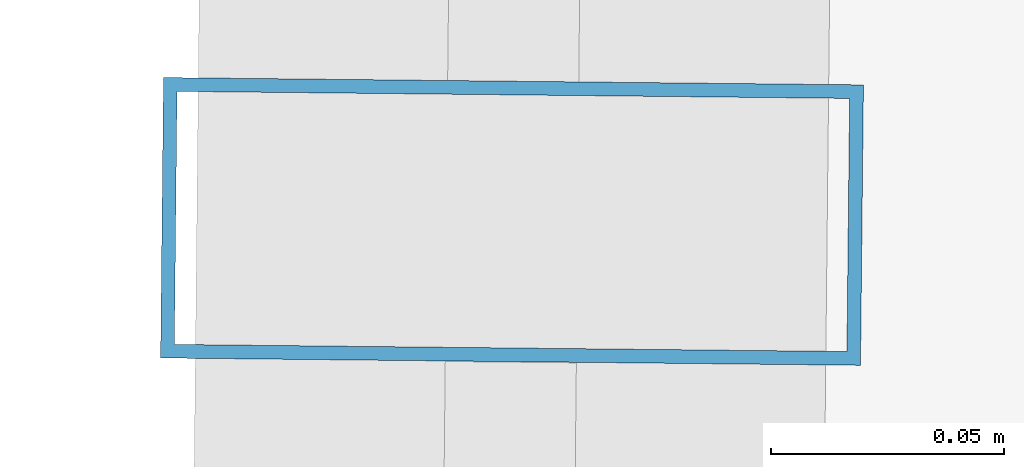
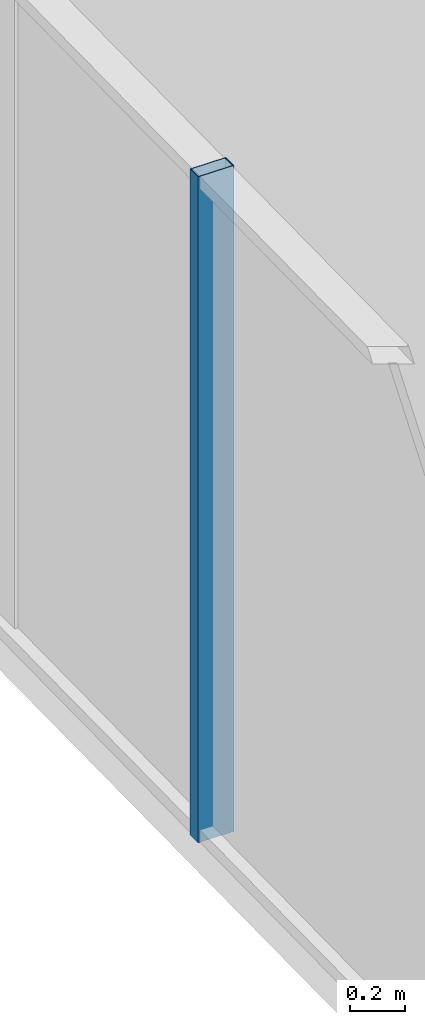
# One storey, part 10 of 30: 1 member, 1 element without a shape of its own.
"""IFC4 building model written with IfcOpenShell, lengths in metres."""

from ifc_helpers import new_model, si_unit, direction, frame, origin, origin_2d, place, context, subcontext, project, spatial, hollow_rectangle, extrude, source, transform, mapped, material, layer, layer_set, material_profile, profile_set, type_object, element, aggregate, save


model = new_model("IFC4")

# Units and contexts
model_context = context("Model", 3, precision=1e-05, world=origin(), true_north=direction((0.0, 1.0)))
body_context = subcontext(model_context, "Body", "Model", "MODEL_VIEW")
ifc_project = project(units=[si_unit("LENGTHUNIT", "METRE"), si_unit("AREAUNIT", "SQUARE_METRE"), si_unit("VOLUMEUNIT", "CUBIC_METRE"), si_unit("PLANEANGLEUNIT", "RADIAN"), si_unit("MASSUNIT", "GRAM", prefix="KILO")], contexts=[model_context])

# Site, building, storey
site_placement = place(None, origin())
site = spatial("IfcSite", under=ifc_project, at=site_placement, CompositionType="ELEMENT")
building_placement = place(site_placement, origin())
building = spatial("IfcBuilding", under=site, at=building_placement, Name="Veraguas Prism Commons", CompositionType="ELEMENT")
storey_placement = place(building_placement, frame((0.0, 0.0, 208.10009765625)))
storey = spatial("IfcBuildingStorey", under=building, at=storey_placement, Name="L59", CompositionType="ELEMENT", Elevation=208.10009765625)

# Curtain wall, member
ifc_material = material(Name="Anodised aluminium EN AW-6063 T6", Category="aluminium")
ifc_layer = layer(ifc_material, 0.14990234375, Name="Unitised Flush Curtain Wall Zone 3", Category="aluminium")
ifc_layer_set = layer_set([ifc_layer], Name="Anodised aluminium EN AW-6063 T6")
curtain_wall_type = type_object("IfcCurtainWallType", Name="Unitised Flush Curtain Wall Zone 3", PredefinedType="NOTDEFINED", material=ifc_layer_set)
curtain_wall_placement = place(storey_placement, origin())
curtain_wall = element("IfcCurtainWall", 1, at=curtain_wall_placement, inside=storey, type_object=curtain_wall_type, Name="Tower Facade Curtain Wall L59-F3", PredefinedType="NOTDEFINED")
ifc_material_profile = material_profile(ifc_material, hollow_rectangle(XDim=0.06005859375, YDim=0.14990234375, WallThickness=0.0029296875, at=origin_2d()), Name="AL60X150X3")
ifc_profile_set = profile_set([ifc_material_profile], Name="Anodised aluminium EN AW-6063 T6")
member_type = type_object("IfcMemberType", Name="Curtain Wall Mullion Upper AL 60x150x3", PredefinedType="MULLION", material=ifc_profile_set)
shared_shape = source(origin(), body_context, "Body", "SweptSolid", [
    extrude(hollow_rectangle(XDim=0.06005859375, YDim=0.14990234375, WallThickness=0.0029296875, at=origin_2d()), origin(), (0.0, 0.0, 1.0), 2.969970703125),
])
member_placement = place(storey_placement, frame((6.290771484375, 24.185546875, 0.0), z_axis=(0.0, 0.0, 1.0), x_axis=(-0.010470038883, -0.999945187641, 0.0)))
member = element("IfcMember", 2, at=member_placement, type_object=member_type, Name="CW-Z3 Mullion 3", PredefinedType="MULLION", context=body_context, shape_type="MappedRepresentation", body=[
    mapped(shared_shape, transform((0.0, 0.0, 0.0), scale=1.0)),
])
aggregate(curtain_wall, [member])

save(model, "model.ifc")
